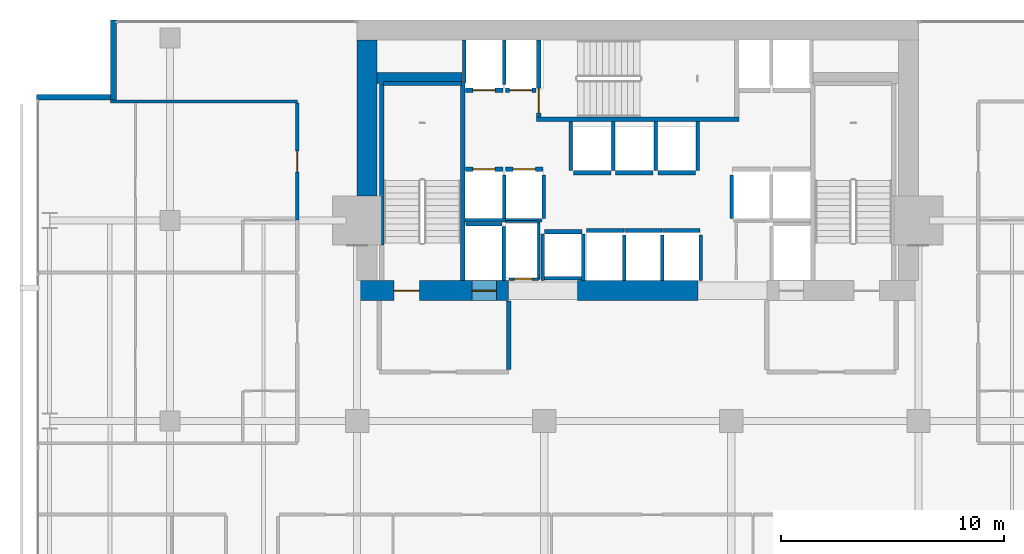
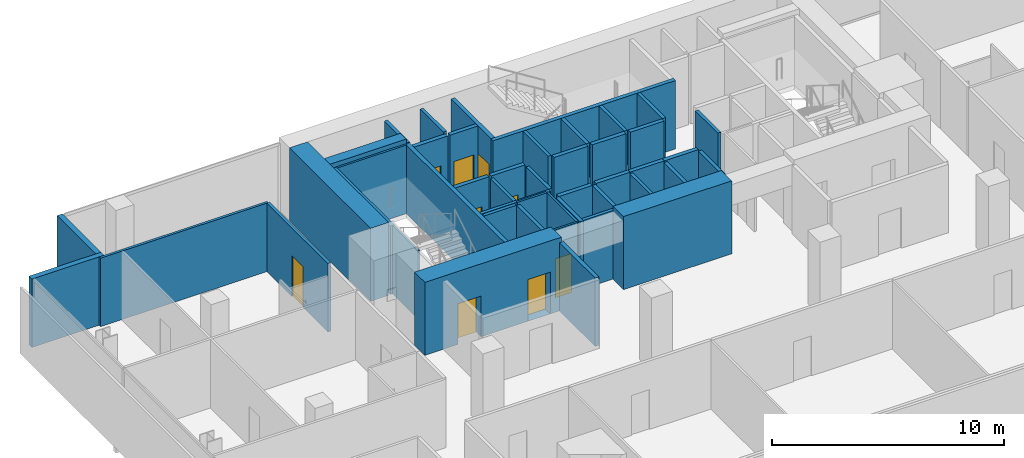
# One storey, part 36 of 40: 47 walls, 9 doors, 9 openings.
"""IFC4 building model written with IfcOpenShell, lengths in metres."""

from ifc_helpers import new_model, si_unit, direction, frame, frame_2d, origin, place, context, subcontext, project, spatial, rectangle, extrude, material, layer, layer_set, type_object, element, fill, save


model = new_model("IFC4")

# Units and contexts
model_context = context("Model", 3, precision=1e-05, world=origin(), true_north=direction((0.0, 1.0)))
body_context = subcontext(model_context, "Body", "Model", "MODEL_VIEW")
ifc_project = project(units=[si_unit("LENGTHUNIT", "METRE"), si_unit("AREAUNIT", "SQUARE_METRE"), si_unit("VOLUMEUNIT", "CUBIC_METRE"), si_unit("PLANEANGLEUNIT", "RADIAN"), si_unit("MASSUNIT", "GRAM", prefix="KILO")], contexts=[model_context])

# Site, building, storey
site_placement = place(None, origin())
site = spatial("IfcSite", under=ifc_project, at=site_placement, CompositionType="ELEMENT")
building_placement = place(site_placement, origin())
building = spatial("IfcBuilding", under=site, at=building_placement, Name="Maruvema Waterfront Hotel and Observation Tower", CompositionType="ELEMENT")
storey_placement = place(building_placement, frame((0.0, 0.0, 34.64990234375)))
storey = spatial("IfcBuildingStorey", under=building, at=storey_placement, Name="L07", CompositionType="ELEMENT", Elevation=34.64990234375)

# Wall, opening, door
ifc_material_1 = material(Name="Twin-stud acoustic gypsum drywall", Category="gypsum")
ifc_layer_1 = layer(ifc_material_1, 0.14990234375, Name="Acoustic Corridor and Suite Demising Wall 150 mm")
ifc_layer_set_1 = layer_set([ifc_layer_1], Name="Twin-stud acoustic gypsum drywall")
wall_type_1 = type_object("IfcWallType", Name="Acoustic Corridor and Suite Demising Wall 150 mm", PredefinedType="PARTITIONING", material=ifc_layer_set_1)
wall_1_placement = place(storey_placement, frame((22.52001953125, 45.018798828125, 0.0), z_axis=(0.0, 0.0, 1.0), x_axis=(0.0, 1.0, 0.0)))
wall_1 = element("IfcWall", 1, at=wall_1_placement, inside=storey, type_object=wall_type_1, Name="L07 Room L07-NW2 Corridor Wall 130", PredefinedType="PARTITIONING", context=body_context, shape_type="SweptSolid", body=[
    extrude(rectangle(XDim=5.2587890625, YDim=0.14990234375, at=frame_2d((2.62939453125, 0.0))), origin(), (0.0, 0.0, 1.0), 3.610107421875),
])
opening_1_placement = place(wall_1_placement, frame((2.154296875, 0.0, 0.0)))
opening_1 = element("IfcOpeningElement", 2, at=opening_1_placement, cuts=wall_1, Name="Opening DR-095", PredefinedType="OPENING", context=body_context, shape_type="SweptSolid", body=[
    extrude(rectangle(XDim=0.949951171875, YDim=2.14990234375, at=frame_2d((0.47509765625, 1.074951171875))), frame((0.0, 0.0849609375, 0.0), z_axis=(0.0, -1.0, 0.0), x_axis=(1.0, 0.0, 0.0)), (0.0, 0.0, 1.0), 0.169921875),
])
ifc_material_2 = material(Name="Acoustic solid-core hardwood timber leaf", Category="wood")
door_type_1 = type_object("IfcDoorType", Name="Guestroom Entrance Fire Door 950x2150 mm", OperationType="NOTDEFINED", PredefinedType="DOOR", material=ifc_material_2)
door_1_placement = place(opening_1_placement, origin())
door_1 = element("IfcDoor", 3, at=door_1_placement, inside=storey, type_object=door_type_1, Name="L07 Room L07-NW2 Entrance Door", OperationType="SINGLE_SWING_RIGHT", OverallHeight=2.14990234375, OverallWidth=0.949951171875, PredefinedType="DOOR", context=body_context, shape_type="SweptSolid", body=[
    extrude(rectangle(XDim=0.949951171875, YDim=2.14990234375, at=frame_2d((0.47509765625, 1.074951171875))), frame((0.0, 0.02490234375, 0.0), z_axis=(0.0, -1.0, 0.0), x_axis=(1.0, 0.0, 0.0)), (0.0, 0.0, 1.0), 0.050048828125),
])
fill(opening_1, door_1)

# Walls
ifc_material_3 = material(Name="Precast concrete C45/55", Category="concrete")
ifc_layer_2 = layer(ifc_material_3, 0.199951171875, Name="Core Shaft and Stairwell Enclosure Wall 200 mm")
ifc_layer_set_2 = layer_set([ifc_layer_2], Name="Precast concrete C45/55")
wall_type_2 = type_object("IfcWallType", Name="Core Shaft and Stairwell Enclosure Wall 200 mm", PredefinedType="SOLIDWALL", material=ifc_layer_set_2)
wall_2_placement = place(storey_placement, frame((29.949951171875, 42.300048828125, 0.0), z_axis=(0.0, 0.0, 1.0), x_axis=(0.0, 1.0, 0.0)))
element("IfcWall", 4, at=wall_2_placement, inside=storey, type_object=wall_type_2, Name="L07 Stairwell ST-01 East Shaft Wall", PredefinedType="SOLIDWALL", context=body_context, shape_type="SweptSolid", body=[
    extrude(rectangle(XDim=8.849853515625, YDim=0.199951171875, at=frame_2d((4.4248046875, 0.0))), origin(), (0.0, 0.0, 1.0), 3.610107421875),
])
wall_3_placement = place(storey_placement, frame((26.300048828125, 46.1201171875, 0.0), z_axis=(0.0, 0.0, 1.0), x_axis=(0.0, 1.0, 0.0)))
element("IfcWall", 5, at=wall_3_placement, inside=storey, type_object=wall_type_2, Name="L07 Stairwell ST-01 Shaft Lining Wall", PredefinedType="SOLIDWALL", context=body_context, shape_type="SweptSolid", body=[
    extrude(rectangle(XDim=5.0, YDim=0.199951171875, at=frame_2d((2.5, 0.0))), origin(), (0.0, 0.0, 1.0), 3.610107421875),
])
wall_4_placement = place(storey_placement, frame((26.3798828125, 51.14990234375, 0.0), z_axis=(0.0, 0.0, 1.0), x_axis=(1.0, 0.0, 0.0)))
element("IfcWall", 6, at=wall_4_placement, inside=storey, type_object=wall_type_2, Name="L07 Stairwell ST-01 Shaft Lining Wall", PredefinedType="SOLIDWALL", context=body_context, shape_type="SweptSolid", body=[
    extrude(rectangle(XDim=3.5, YDim=0.199951171875, at=frame_2d((1.75, 0.0))), origin(), (0.0, 0.0, 1.0), 3.610107421875),
])
wall_5_placement = place(storey_placement, frame((33.25, 49.550048828125, 0.0), z_axis=(0.0, 0.0, 1.0), x_axis=(1.0, 0.0, 0.0)))
element("IfcWall", 7, at=wall_5_placement, inside=storey, type_object=wall_type_2, Name="L07 Stairwell ST-02 Shaft Wall", PredefinedType="SOLIDWALL", context=body_context, shape_type="SweptSolid", body=[
    extrude(rectangle(XDim=9.10009765625, YDim=0.199951171875, at=frame_2d((4.550048828125, 0.0))), origin(), (0.0, 0.0, 1.0), 3.610107421875),
])

# Wall, opening, door
wall_6_placement = place(storey_placement, frame((33.35009765625, 49.64990234375, 0.0), z_axis=(0.0, 0.0, 1.0), x_axis=(0.0, 1.0, 0.0)))
wall_6 = element("IfcWall", 8, at=wall_6_placement, inside=storey, type_object=wall_type_2, Name="L07 Stairwell ST-02 Shaft Wall", PredefinedType="SOLIDWALL", context=body_context, shape_type="SweptSolid", body=[
    extrude(rectangle(XDim=3.4501953125, YDim=0.199951171875, at=frame_2d((1.72509765625, 0.0))), origin(), (0.0, 0.0, 1.0), 3.610107421875),
])
opening_2_placement = place(wall_6_placement, frame((0.179931640625, 0.0, 0.0)))
opening_2 = element("IfcOpeningElement", 9, at=opening_2_placement, cuts=wall_6, Name="Opening SD-02", PredefinedType="OPENING", context=body_context, shape_type="SweptSolid", body=[
    extrude(rectangle(XDim=1.10009765625, YDim=2.14990234375, at=frame_2d((0.550048828125, 1.074951171875))), frame((0.0, 0.10986328125, 0.0), z_axis=(0.0, -1.0, 0.0), x_axis=(1.0, 0.0, 0.0)), (0.0, 0.0, 1.0), 0.219970703125),
])
ifc_material_4 = material(Name="Fire-rated galvanised steel leaf", Category="steel")
door_type_2 = type_object("IfcDoorType", Name="Central Exit Stair Fire Door 1100x2150 mm", OperationType="NOTDEFINED", PredefinedType="DOOR", material=ifc_material_4)
door_2_placement = place(opening_2_placement, frame((1.10009765625, 0.0, 0.0), z_axis=(0.0, 0.0, 1.0), x_axis=(-1.0, 0.0, 0.0)))
door_2 = element("IfcDoor", 10, at=door_2_placement, inside=storey, type_object=door_type_2, Name="L07 Exit Stair ST-02 Fire Door", OperationType="SINGLE_SWING_LEFT", OverallHeight=2.14990234375, OverallWidth=1.10009765625, PredefinedType="DOOR", context=body_context, shape_type="SweptSolid", body=[
    extrude(rectangle(XDim=1.10009765625, YDim=2.14990234375, at=frame_2d((0.550048828125, 1.074951171875))), frame((0.0, 0.02490234375, 0.0), z_axis=(0.0, -1.0, 0.0), x_axis=(1.0, 0.0, 0.0)), (0.0, 0.0, 1.0), 0.050048828125),
])
fill(opening_2, door_2)

wall_7_placement = place(storey_placement, frame((30.06005859375, 47.300048828125, 0.0), z_axis=(0.0, 0.0, 1.0), x_axis=(1.0, 0.0, 0.0)))
wall_7 = element("IfcWall", 11, at=wall_7_placement, inside=storey, type_object=wall_type_2, Name="L07 Lift LF-01 Hoistway Front Wall", PredefinedType="SOLIDWALL", context=body_context, shape_type="SweptSolid", body=[
    extrude(rectangle(XDim=1.679931640625, YDim=0.199951171875, at=frame_2d((0.83984375, 0.0))), origin(), (0.0, 0.0, 1.0), 3.610107421875),
])
opening_3_placement = place(wall_7_placement, frame((0.340087890625, 0.0, 0.0)))
opening_3 = element("IfcOpeningElement", 12, at=opening_3_placement, cuts=wall_7, Name="Opening LD-01", PredefinedType="OPENING", context=body_context, shape_type="SweptSolid", body=[
    extrude(rectangle(XDim=1.0, YDim=2.14990234375, at=frame_2d((0.5, 1.074951171875))), frame((0.0, 0.10986328125, 0.0), z_axis=(0.0, -1.0, 0.0), x_axis=(1.0, 0.0, 0.0)), (0.0, 0.0, 1.0), 0.219970703125),
])
ifc_material_5 = material(Name="Brushed stainless steel Grade 316", Category="steel")
door_type_3 = type_object("IfcDoorType", Name="Passenger Lift Sliding Landing Door 1000x2150 mm", OperationType="SLIDING_TO_LEFT", PredefinedType="DOOR", material=ifc_material_5)
door_3_placement = place(opening_3_placement, origin())
door_3 = element("IfcDoor", 13, at=door_3_placement, inside=storey, type_object=door_type_3, Name="L07 Lift LF-01 Sliding Landing Door", OperationType="SLIDING_TO_LEFT", OverallHeight=2.14990234375, OverallWidth=1.0, PredefinedType="DOOR", context=body_context, shape_type="SweptSolid", body=[
    extrude(rectangle(XDim=1.0, YDim=2.14990234375, at=frame_2d((0.5, 1.074951171875))), frame((0.0, 0.02490234375, 0.0), z_axis=(0.0, -1.0, 0.0), x_axis=(1.0, 0.0, 0.0)), (0.0, 0.0, 1.0), 0.050048828125),
])
fill(opening_3, door_3)

wall_8_placement = place(storey_placement, frame((31.860107421875, 47.300048828125, 0.0), z_axis=(0.0, 0.0, 1.0), x_axis=(1.0, 0.0, 0.0)))
wall_8 = element("IfcWall", 14, at=wall_8_placement, inside=storey, type_object=wall_type_2, Name="L07 Lift LF-02 Hoistway Front Wall", PredefinedType="SOLIDWALL", context=body_context, shape_type="SweptSolid", body=[
    extrude(rectangle(XDim=1.679931640625, YDim=0.199951171875, at=frame_2d((0.83984375, 0.0))), origin(), (0.0, 0.0, 1.0), 3.610107421875),
])
opening_4_placement = place(wall_8_placement, frame((0.340087890625, 0.0, 0.0)))
opening_4 = element("IfcOpeningElement", 15, at=opening_4_placement, cuts=wall_8, Name="Opening LD-01", PredefinedType="OPENING", context=body_context, shape_type="SweptSolid", body=[
    extrude(rectangle(XDim=1.0, YDim=2.14990234375, at=frame_2d((0.5, 1.074951171875))), frame((0.0, 0.10986328125, 0.0), z_axis=(0.0, -1.0, 0.0), x_axis=(1.0, 0.0, 0.0)), (0.0, 0.0, 1.0), 0.219970703125),
])
door_4_placement = place(opening_4_placement, origin())
door_4 = element("IfcDoor", 16, at=door_4_placement, inside=storey, type_object=door_type_3, Name="L07 Lift LF-02 Sliding Landing Door", OperationType="SLIDING_TO_LEFT", OverallHeight=2.14990234375, OverallWidth=1.0, PredefinedType="DOOR", context=body_context, shape_type="SweptSolid", body=[
    extrude(rectangle(XDim=1.0, YDim=2.14990234375, at=frame_2d((0.5, 1.074951171875))), frame((0.0, 0.02490234375, 0.0), z_axis=(0.0, -1.0, 0.0), x_axis=(1.0, 0.0, 0.0)), (0.0, 0.0, 1.0), 0.050048828125),
])
fill(opening_4, door_4)

wall_9_placement = place(storey_placement, frame((30.06005859375, 50.85009765625, 0.0), z_axis=(0.0, 0.0, 1.0), x_axis=(1.0, 0.0, 0.0)))
wall_9 = element("IfcWall", 17, at=wall_9_placement, inside=storey, type_object=wall_type_2, Name="L07 Lift LF-03 Hoistway Front Wall", PredefinedType="SOLIDWALL", context=body_context, shape_type="SweptSolid", body=[
    extrude(rectangle(XDim=1.679931640625, YDim=0.199951171875, at=frame_2d((0.83984375, 0.0))), origin(), (0.0, 0.0, 1.0), 3.610107421875),
])
opening_5_placement = place(wall_9_placement, frame((0.340087890625, 0.0, 0.0)))
opening_5 = element("IfcOpeningElement", 18, at=opening_5_placement, cuts=wall_9, Name="Opening LD-01", PredefinedType="OPENING", context=body_context, shape_type="SweptSolid", body=[
    extrude(rectangle(XDim=1.0, YDim=2.14990234375, at=frame_2d((0.5, 1.074951171875))), frame((0.0, 0.10986328125, 0.0), z_axis=(0.0, -1.0, 0.0), x_axis=(1.0, 0.0, 0.0)), (0.0, 0.0, 1.0), 0.219970703125),
])
door_5_placement = place(opening_5_placement, frame((1.0, 0.0, 0.0), z_axis=(0.0, 0.0, 1.0), x_axis=(-1.0, 0.0, 0.0)))
door_5 = element("IfcDoor", 19, at=door_5_placement, inside=storey, type_object=door_type_3, Name="L07 Lift LF-03 Sliding Landing Door", OperationType="SLIDING_TO_LEFT", OverallHeight=2.14990234375, OverallWidth=1.0, PredefinedType="DOOR", context=body_context, shape_type="SweptSolid", body=[
    extrude(rectangle(XDim=1.0, YDim=2.14990234375, at=frame_2d((0.5, 1.074951171875))), frame((0.0, 0.02490234375, 0.0), z_axis=(0.0, -1.0, 0.0), x_axis=(1.0, 0.0, 0.0)), (0.0, 0.0, 1.0), 0.050048828125),
])
fill(opening_5, door_5)

wall_10_placement = place(storey_placement, frame((31.860107421875, 50.85009765625, 0.0), z_axis=(0.0, 0.0, 1.0), x_axis=(1.0, 0.0, 0.0)))
wall_10 = element("IfcWall", 20, at=wall_10_placement, inside=storey, type_object=wall_type_2, Name="L07 Lift LF-04 Hoistway Front Wall", PredefinedType="SOLIDWALL", context=body_context, shape_type="SweptSolid", body=[
    extrude(rectangle(XDim=1.3798828125, YDim=0.199951171875, at=frame_2d((0.68994140625, 0.0))), origin(), (0.0, 0.0, 1.0), 3.610107421875),
])
opening_6_placement = place(wall_10_placement, frame((0.18994140625, 0.0, 0.0)))
opening_6 = element("IfcOpeningElement", 21, at=opening_6_placement, cuts=wall_10, Name="Opening LD-01", PredefinedType="OPENING", context=body_context, shape_type="SweptSolid", body=[
    extrude(rectangle(XDim=1.0, YDim=2.14990234375, at=frame_2d((0.5, 1.074951171875))), frame((0.0, 0.10986328125, 0.0), z_axis=(0.0, -1.0, 0.0), x_axis=(1.0, 0.0, 0.0)), (0.0, 0.0, 1.0), 0.219970703125),
])
door_6_placement = place(opening_6_placement, frame((1.0, 0.0, 0.0), z_axis=(0.0, 0.0, 1.0), x_axis=(-1.0, 0.0, 0.0)))
door_6 = element("IfcDoor", 22, at=door_6_placement, inside=storey, type_object=door_type_3, Name="L07 Lift LF-04 Sliding Landing Door", OperationType="SLIDING_TO_LEFT", OverallHeight=2.14990234375, OverallWidth=1.0, PredefinedType="DOOR", context=body_context, shape_type="SweptSolid", body=[
    extrude(rectangle(XDim=1.0, YDim=2.14990234375, at=frame_2d((0.5, 1.074951171875))), frame((0.0, 0.02490234375, 0.0), z_axis=(0.0, -1.0, 0.0), x_axis=(1.0, 0.0, 0.0)), (0.0, 0.0, 1.0), 0.050048828125),
])
fill(opening_6, door_6)

# Walls
for number, where, z_axis, x_axis, name in (
    (23, (35.510009765625, 44.550048828125, 0.0), (0.0, 0.0, 1.0), (1.0, 0.0, 0.0), "L07 Lift LF-09 Hoistway Front Wall"),
    (24, (37.2099609375, 44.550048828125, 0.0), (0.0, 0.0, 1.0), (1.0, 0.0, 0.0), "L07 Lift LF-10 Hoistway Front Wall"),
):
    element("IfcWall", number, at=place(storey_placement, frame(where, z_axis=z_axis, x_axis=x_axis)), inside=storey, type_object=wall_type_2, Name=name, PredefinedType="SOLIDWALL", context=body_context, shape_type="SweptSolid", body=[
        extrude(rectangle(XDim=1.679931640625, YDim=0.199951171875, at=frame_2d((0.83984375, 0.0))), origin(), (0.0, 0.0, 1.0), 3.610107421875),
    ])
for number, where, z_axis, x_axis, name in (
    (25, (38.909912109375, 44.550048828125, 0.0), (0.0, 0.0, 1.0), (1.0, 0.0, 0.0), "L07 Lift LF-11 Hoistway Front Wall"),
    (26, (34.909912109375, 47.14990234375, 0.0), (0.0, 0.0, 1.0), (1.0, 0.0, 0.0), "L07 Lift LF-12 Hoistway Front Wall"),
):
    element("IfcWall", number, at=place(storey_placement, frame(where, z_axis=z_axis, x_axis=x_axis)), inside=storey, type_object=wall_type_2, Name=name, PredefinedType="SOLIDWALL", context=body_context, shape_type="SweptSolid", body=[
        extrude(rectangle(XDim=1.68017578125, YDim=0.199951171875, at=frame_2d((0.840087890625, 0.0))), origin(), (0.0, 0.0, 1.0), 3.610107421875),
    ])
for number, where, z_axis, x_axis, name in (
    (27, (36.81005859375, 47.14990234375, 0.0), (0.0, 0.0, 1.0), (1.0, 0.0, 0.0), "L07 Lift LF-13 Hoistway Front Wall"),
    (28, (38.7099609375, 47.14990234375, 0.0), (0.0, 0.0, 1.0), (1.0, 0.0, 0.0), "L07 Lift LF-14 Hoistway Front Wall"),
    (29, (33.610107421875, 44.5, 0.0), (0.0, 0.0, 1.0), (1.0, 0.0, 0.0), "L07 Lift LF-15 Hoistway Front Wall"),
):
    element("IfcWall", number, at=place(storey_placement, frame(where, z_axis=z_axis, x_axis=x_axis)), inside=storey, type_object=wall_type_2, Name=name, PredefinedType="SOLIDWALL", context=body_context, shape_type="SweptSolid", body=[
        extrude(rectangle(XDim=1.679931640625, YDim=0.199951171875, at=frame_2d((0.83984375, 0.0))), origin(), (0.0, 0.0, 1.0), 3.610107421875),
    ])
ifc_material_6 = material(Name="Concrete C70/85", Category="concrete")
ifc_layer_3 = layer(ifc_material_6, 0.5, Name="Core Shear Wall 500 mm")
ifc_layer_set_3 = layer_set([ifc_layer_3], Name="Concrete C70/85")
wall_type_3 = type_object("IfcWallType", Name="Core Shear Wall 500 mm", PredefinedType="SHEAR", material=ifc_layer_set_3)
wall_11_placement = place(storey_placement, frame((26.10009765625, 51.39990234375, 0.0), z_axis=(0.0, 0.0, 1.0), x_axis=(1.0, 0.0, 0.0)))
element("IfcWall", 30, at=wall_11_placement, inside=storey, type_object=wall_type_3, Name="L07 Internal Core Shear Wall NW 500 mm", PredefinedType="SHEAR", context=body_context, shape_type="SweptSolid", body=[
    extrude(rectangle(XDim=3.7998046875, YDim=0.5, at=frame_2d((1.89990234375, 0.0))), origin(), (0.0, 0.0, 1.0), 3.85009765625),
])

# Wall, openings, doors
ifc_material_7 = material(Name="Concrete C80/95", Category="concrete")
ifc_layer_4 = layer(ifc_material_7, 0.89990234375, Name="Core Shear Wall 900 mm")
ifc_layer_set_4 = layer_set([ifc_layer_4], Name="Concrete C80/95")
wall_type_4 = type_object("IfcWallType", Name="Core Shear Wall 900 mm", PredefinedType="SHEAR", material=ifc_layer_set_4)
wall_12_placement = place(storey_placement, frame((25.199951171875, 41.85009765625, 0.0), z_axis=(0.0, 0.0, 1.0), x_axis=(1.0, 0.0, 0.0)))
wall_12 = element("IfcWall", 31, at=wall_12_placement, inside=storey, type_object=wall_type_4, Name="L07 South-West Core Shear Wall", PredefinedType="SHEAR", context=body_context, shape_type="SweptSolid", body=[
    extrude(rectangle(XDim=6.800048828125, YDim=0.89990234375, at=frame_2d((3.39990234375, 0.0))), origin(), (0.0, 0.0, 1.0), 3.85009765625),
])
opening_7_placement = place(wall_12_placement, frame((1.64990234375, 0.0, 0.0)))
opening_7 = element("IfcOpeningElement", 32, at=opening_7_placement, cuts=wall_12, Name="Opening SD-01", PredefinedType="OPENING", context=body_context, shape_type="SweptSolid", body=[
    extrude(rectangle(XDim=1.14990234375, YDim=2.14990234375, at=frame_2d((0.574951171875, 1.074951171875))), frame((0.0, 0.4599609375, 0.0), z_axis=(0.0, -1.0, 0.0), x_axis=(1.0, 0.0, 0.0)), (0.0, 0.0, 1.0), 0.919921875),
])
opening_8_placement = place(wall_12_placement, frame((5.14990234375, 0.0, 0.0)))
opening_8 = element("IfcOpeningElement", 33, at=opening_8_placement, cuts=wall_12, Name="Opening LD-03", PredefinedType="OPENING", context=body_context, shape_type="SweptSolid", body=[
    extrude(rectangle(XDim=1.10009765625, YDim=2.199951171875, at=frame_2d((0.550048828125, 1.10009765625))), frame((0.0, 0.4599609375, 0.0), z_axis=(0.0, -1.0, 0.0), x_axis=(1.0, 0.0, 0.0)), (0.0, 0.0, 1.0), 0.919921875),
])
ifc_material_8 = material(Name="Fire-rated galvanised steel leaf", Category="steel")
door_type_4 = type_object("IfcDoorType", Name="Exit Stair Fire Door 1150x2150 mm", OperationType="NOTDEFINED", PredefinedType="DOOR", material=ifc_material_8)
door_7_placement = place(opening_7_placement, origin())
door_7 = element("IfcDoor", 34, at=door_7_placement, inside=storey, type_object=door_type_4, Name="L07 Exit Stair ST-01 Fire Door", OperationType="SINGLE_SWING_LEFT", OverallHeight=2.14990234375, OverallWidth=1.14990234375, PredefinedType="DOOR", context=body_context, shape_type="SweptSolid", body=[
    extrude(rectangle(XDim=1.14990234375, YDim=2.14990234375, at=frame_2d((0.574951171875, 1.074951171875))), frame((0.0, 0.02490234375, 0.0), z_axis=(0.0, -1.0, 0.0), x_axis=(1.0, 0.0, 0.0)), (0.0, 0.0, 1.0), 0.050048828125),
])
fill(opening_7, door_7)
ifc_material_9 = material(Name="Brushed stainless steel Grade 316", Category="steel")
door_type_5 = type_object("IfcDoorType", Name="Firefighting Lift Sliding Landing Door 1100x2200 mm", OperationType="SLIDING_TO_LEFT", PredefinedType="DOOR", material=ifc_material_9)
door_8_placement = place(opening_8_placement, frame((1.10009765625, 0.0, 0.0), z_axis=(0.0, 0.0, 1.0), x_axis=(-1.0, 0.0, 0.0)))
door_8 = element("IfcDoor", 35, at=door_8_placement, inside=storey, type_object=door_type_5, Name="L07 Firefighting Lift FL-01 Landing Door", OperationType="SLIDING_TO_LEFT", OverallHeight=2.199951171875, OverallWidth=1.10009765625, PredefinedType="DOOR", context=body_context, shape_type="SweptSolid", body=[
    extrude(rectangle(XDim=1.10009765625, YDim=2.199951171875, at=frame_2d((0.550048828125, 1.10009765625))), frame((0.0, 0.02490234375, 0.0), z_axis=(0.0, -1.0, 0.0), x_axis=(1.0, 0.0, 0.0)), (0.0, 0.0, 1.0), 0.050048828125),
])
fill(opening_8, door_8)

# Walls
wall_13_placement = place(storey_placement, frame((35.10009765625, 41.85009765625, 0.0), z_axis=(0.0, 0.0, 1.0), x_axis=(1.0, 0.0, 0.0)))
element("IfcWall", 36, at=wall_13_placement, inside=storey, type_object=wall_type_4, Name="L07 South-Central Core Shear Wall", PredefinedType="SHEAR", context=body_context, shape_type="SweptSolid", body=[
    extrude(rectangle(XDim=5.39990234375, YDim=0.89990234375, at=frame_2d((2.699951171875, 0.0))), origin(), (0.0, 0.0, 1.0), 3.85009765625),
])
wall_14_placement = place(storey_placement, frame((25.64990234375, 46.10009765625, 0.0), z_axis=(0.0, 0.0, 1.0), x_axis=(0.0, 1.0, 0.0)))
element("IfcWall", 37, at=wall_14_placement, inside=storey, type_object=wall_type_4, Name="L07 West-North Core Shear Wall", PredefinedType="SHEAR", context=body_context, shape_type="SweptSolid", body=[
    extrude(rectangle(XDim=7.0, YDim=0.89990234375, at=frame_2d((3.5, 0.0))), origin(), (0.0, 0.0, 1.0), 3.85009765625),
])

# Wall, opening, door
ifc_material_10 = material(Name="Moisture-resistant cement-board drywall", Category="gypsum")
ifc_layer_5 = layer(ifc_material_10, 0.10009765625, Name="En-Suite Moisture-Resistant Partition 100 mm")
ifc_layer_set_5 = layer_set([ifc_layer_5], Name="Moisture-resistant cement-board drywall")
wall_type_5 = type_object("IfcWallType", Name="En-Suite Moisture-Resistant Partition 100 mm", PredefinedType="PARTITIONING", material=ifc_layer_set_5)
wall_15_placement = place(storey_placement, frame((32.02001953125, 42.360107421875, 0.0), z_axis=(0.0, 0.0, 1.0), x_axis=(1.0, 0.0, 0.0)))
wall_15 = element("IfcWall", 38, at=wall_15_placement, inside=storey, type_object=wall_type_5, Name="L07 Telecom Riser South Wall 007", PredefinedType="PARTITIONING", context=body_context, shape_type="SweptSolid", body=[
    extrude(rectangle(XDim=1.320068359375, YDim=0.10009765625, at=frame_2d((0.66015625, 0.0))), origin(), (0.0, 0.0, 1.0), 3.610107421875),
])
opening_9_placement = place(wall_15_placement, frame((0.239990234375, 0.0, 0.0)))
opening_9 = element("IfcOpeningElement", 39, at=opening_9_placement, cuts=wall_15, Name="Opening DR-080", PredefinedType="OPENING", context=body_context, shape_type="SweptSolid", body=[
    extrude(rectangle(XDim=0.800048828125, YDim=2.050048828125, at=frame_2d((0.39990234375, 1.02490234375))), frame((0.0, 0.06005859375, 0.0), z_axis=(0.0, -1.0, 0.0), x_axis=(1.0, 0.0, 0.0)), (0.0, 0.0, 1.0), 0.1201171875),
])
ifc_material_11 = material(Name="Powder-coated steel access leaf", Category="steel")
door_type_6 = type_object("IfcDoorType", Name="Riser and Service Cupboard Door 800x2050 mm", OperationType="NOTDEFINED", PredefinedType="DOOR", material=ifc_material_11)
door_9_placement = place(opening_9_placement, frame((0.800048828125, 0.0, 0.0), z_axis=(0.0, 0.0, 1.0), x_axis=(-1.0, 0.0, 0.0)))
door_9 = element("IfcDoor", 40, at=door_9_placement, inside=storey, type_object=door_type_6, Name="L07 Telecom Riser Door", OperationType="SINGLE_SWING_LEFT", OverallHeight=2.050048828125, OverallWidth=0.800048828125, PredefinedType="DOOR", context=body_context, shape_type="SweptSolid", body=[
    extrude(rectangle(XDim=0.800048828125, YDim=2.050048828125, at=frame_2d((0.39990234375, 1.02490234375))), frame((0.0, 0.02490234375, 0.0), z_axis=(0.0, -1.0, 0.0), x_axis=(1.0, 0.0, 0.0)), (0.0, 0.0, 1.0), 0.050048828125),
])
fill(opening_9, door_9)

# Walls
wall_16_placement = place(storey_placement, frame((31.840087890625, 44.9599609375, 0.0), z_axis=(0.0, 0.0, 1.0), x_axis=(1.0, 0.0, 0.0)))
element("IfcWall", 41, at=wall_16_placement, inside=storey, type_object=wall_type_5, Name="L07 Telecom Riser North Wall 008", PredefinedType="PARTITIONING", context=body_context, shape_type="SweptSolid", body=[
    extrude(rectangle(XDim=1.47998046875, YDim=0.10009765625, at=frame_2d((0.739990234375, 0.0))), origin(), (0.0, 0.0, 1.0), 3.610107421875),
])
wall_17_placement = place(storey_placement, frame((33.360107421875, 42.360107421875, 0.0), z_axis=(0.0, 0.0, 1.0), x_axis=(0.0, 1.0, 0.0)))
element("IfcWall", 42, at=wall_17_placement, inside=storey, type_object=wall_type_5, Name="L07 Telecom Riser East Wall 009", PredefinedType="PARTITIONING", context=body_context, shape_type="SweptSolid", body=[
    extrude(rectangle(XDim=2.579833984375, YDim=0.10009765625, at=frame_2d((1.2900390625, 0.0))), origin(), (0.0, 0.0, 1.0), 3.610107421875),
])
ifc_material_12 = material(Name="Precast concrete C45/55 with honed Pernambuco granite facing", Category="masonry")
ifc_layer_6 = layer(ifc_material_12, 0.260009765625, Name="Exterior Granite Clad Spandrel and Pier Wall 260 mm")
ifc_layer_set_6 = layer_set([ifc_layer_6], Name="Precast concrete C45/55 with honed Pernambuco granite facing")
wall_type_6 = type_object("IfcWallType", Name="Exterior Granite Clad Spandrel and Pier Wall 260 mm", PredefinedType="SOLIDWALL", material=ifc_layer_set_6)
wall_18_placement = place(storey_placement, frame((14.27001953125, 50.39990234375, 0.0), z_axis=(0.0, 0.0, 1.0), x_axis=(0.0, 1.0, 0.0)))
element("IfcWall", 43, at=wall_18_placement, inside=storey, type_object=wall_type_6, Name="L07 Corner Notch Granite Pier Wall NW1", PredefinedType="SOLIDWALL", context=body_context, shape_type="SweptSolid", body=[
    extrude(rectangle(XDim=3.60009765625, YDim=0.260009765625, at=frame_2d((1.800048828125, 0.0))), origin(), (0.0, 0.0, 1.0), 3.610107421875),
])
wall_19_placement = place(storey_placement, frame((10.800048828125, 50.530029296875, 0.0), z_axis=(0.0, 0.0, 1.0), x_axis=(1.0, 0.0, 0.0)))
element("IfcWall", 44, at=wall_19_placement, inside=storey, type_object=wall_type_6, Name="L07 Corner Notch Granite Pier Wall NW2", PredefinedType="SOLIDWALL", context=body_context, shape_type="SweptSolid", body=[
    extrude(rectangle(XDim=3.599853515625, YDim=0.260009765625, at=frame_2d((1.7998046875, 0.0))), origin(), (0.0, 0.0, 1.0), 3.610107421875),
])
ifc_material_13 = material(Name="Autoclaved cellular concrete blockwork", Category="masonry")
ifc_layer_7 = layer(ifc_material_13, 0.199951171875, Name="Fire Compartment Masonry Wall 200 mm")
ifc_layer_set_7 = layer_set([ifc_layer_7], Name="Autoclaved cellular concrete blockwork")
wall_type_7 = type_object("IfcWallType", Name="Fire Compartment Masonry Wall 200 mm", PredefinedType="PARTITIONING", material=ifc_layer_set_7)
wall_20_placement = place(storey_placement, frame((32.0, 38.31005859375, 0.0), z_axis=(0.0, 0.0, 1.0), x_axis=(0.0, 1.0, 0.0)))
element("IfcWall", 45, at=wall_20_placement, inside=storey, type_object=wall_type_7, Name="L07 FFL West East Wall 003", PredefinedType="PARTITIONING", context=body_context, shape_type="SweptSolid", body=[
    extrude(rectangle(XDim=3.06982421875, YDim=0.199951171875, at=frame_2d((1.534912109375, 0.0))), origin(), (0.0, 0.0, 1.0), 3.610107421875),
])
ifc_material_14 = material(Name="Acoustic gypsum plasterboard drywall", Category="gypsum")
ifc_layer_8 = layer(ifc_material_14, 0.125, Name="Guestroom Acoustic Demising Wall 125 mm")
ifc_layer_set_8 = layer_set([ifc_layer_8], Name="Acoustic gypsum plasterboard drywall")
wall_type_8 = type_object("IfcWallType", Name="Guestroom Acoustic Demising Wall 125 mm", PredefinedType="PARTITIONING", material=ifc_layer_set_8)
wall_21_placement = place(storey_placement, frame((14.139892578125, 50.33740234375, 0.0), z_axis=(0.0, 0.0, 1.0), x_axis=(1.0, 0.0, 0.0)))
element("IfcWall", 46, at=wall_21_placement, inside=storey, type_object=wall_type_8, Name="L07 NW Top End 115", PredefinedType="PARTITIONING", context=body_context, shape_type="SweptSolid", body=[
    extrude(rectangle(XDim=8.380126953125, YDim=0.125, at=frame_2d((4.18994140625, 0.0))), origin(), (0.0, 0.0, 1.0), 3.610107421875),
])
ifc_material_15 = material(Name="Precast concrete C45/55", Category="concrete")
ifc_layer_9 = layer(ifc_material_15, 0.159912109375, Name="Lift Hoistway Divider Wall 160 mm")
ifc_layer_set_9 = layer_set([ifc_layer_9], Name="Precast concrete C45/55")
wall_type_9 = type_object("IfcWallType", Name="Lift Hoistway Divider Wall 160 mm", PredefinedType="SOLIDWALL", material=ifc_layer_set_9)
wall_22_placement = place(storey_placement, frame((30.10009765625, 44.830078125, 0.0), z_axis=(0.0, 0.0, 1.0), x_axis=(1.0, 0.0, 0.0)))
element("IfcWall", 47, at=wall_22_placement, inside=storey, type_object=wall_type_9, Name="L07 Lift FL-01 Rear Hoistway Wall", PredefinedType="SOLIDWALL", context=body_context, shape_type="SweptSolid", body=[
    extrude(rectangle(XDim=1.599853515625, YDim=0.159912109375, at=frame_2d((0.7998046875, 0.0))), origin(), (0.0, 0.0, 1.0), 3.610107421875),
])
wall_23_placement = place(storey_placement, frame((31.780029296875, 42.300048828125, 0.0), z_axis=(0.0, 0.0, 1.0), x_axis=(0.0, 1.0, 0.0)))
element("IfcWall", 48, at=wall_23_placement, inside=storey, type_object=wall_type_9, Name="L07 Lift FL-01 Inner Hoistway Wall", PredefinedType="SOLIDWALL", context=body_context, shape_type="SweptSolid", body=[
    extrude(rectangle(XDim=2.43994140625, YDim=0.159912109375, at=frame_2d((1.219970703125, 0.0))), origin(), (0.0, 0.0, 1.0), 3.610107421875),
])
for number, where, z_axis, x_axis, name in (
    (49, (31.800048828125, 45.10009765625, 0.0), (0.0, 0.0, 1.0), (0.0, 1.0, 0.0), "L07 Hoistway Divider Wall"),
    (50, (33.580078125, 45.10009765625, 0.0), (0.0, 0.0, 1.0), (0.0, 1.0, 0.0), "L07 Hoistway Divider Wall"),
):
    element("IfcWall", number, at=place(storey_placement, frame(where, z_axis=z_axis, x_axis=x_axis)), inside=storey, type_object=wall_type_9, Name=name, PredefinedType="SOLIDWALL", context=body_context, shape_type="SweptSolid", body=[
        extrude(rectangle(XDim=1.949951171875, YDim=0.159912109375, at=frame_2d((0.97509765625, 0.0))), origin(), (0.0, 0.0, 1.0), 3.610107421875),
    ])
wall_24_placement = place(storey_placement, frame((30.050048828125, 45.010009765625, 0.0), z_axis=(0.0, 0.0, 1.0), x_axis=(1.0, 0.0, 0.0)))
element("IfcWall", 51, at=wall_24_placement, inside=storey, type_object=wall_type_9, Name="L07 Hoistway Divider Wall", PredefinedType="SOLIDWALL", context=body_context, shape_type="SweptSolid", body=[
    extrude(rectangle(XDim=3.449951171875, YDim=0.159912109375, at=frame_2d((1.72509765625, 0.0))), origin(), (0.0, 0.0, 1.0), 3.610107421875),
])
wall_25_placement = place(storey_placement, frame((30.010009765625, 51.179931640625, 0.0), z_axis=(0.0, 0.0, 1.0), x_axis=(0.0, 1.0, 0.0)))
element("IfcWall", 52, at=wall_25_placement, inside=storey, type_object=wall_type_9, Name="L07 Hoistway Divider Wall", PredefinedType="SOLIDWALL", context=body_context, shape_type="SweptSolid", body=[
    extrude(rectangle(XDim=1.920166015625, YDim=0.159912109375, at=frame_2d((0.9599609375, 0.0))), origin(), (0.0, 0.0, 1.0), 3.610107421875),
])
wall_26_placement = place(storey_placement, frame((31.800048828125, 51.10009765625, 0.0), z_axis=(0.0, 0.0, 1.0), x_axis=(0.0, 1.0, 0.0)))
element("IfcWall", 53, at=wall_26_placement, inside=storey, type_object=wall_type_9, Name="L07 Hoistway Divider Wall", PredefinedType="SOLIDWALL", context=body_context, shape_type="SweptSolid", body=[
    extrude(rectangle(XDim=2.0, YDim=0.159912109375, at=frame_2d((1.0, 0.0))), origin(), (0.0, 0.0, 1.0), 3.610107421875),
])
wall_27_placement = place(storey_placement, frame((42.02001953125, 45.10009765625, 0.0), z_axis=(0.0, 0.0, 1.0), x_axis=(0.0, 1.0, 0.0)))
element("IfcWall", 54, at=wall_27_placement, inside=storey, type_object=wall_type_9, Name="L07 Hoistway Divider Wall", PredefinedType="SOLIDWALL", context=body_context, shape_type="SweptSolid", body=[
    extrude(rectangle(XDim=1.949951171875, YDim=0.159912109375, at=frame_2d((0.97509765625, 0.0))), origin(), (0.0, 0.0, 1.0), 3.610107421875),
])
for number, where, z_axis, x_axis, name in (
    (55, (37.199951171875, 42.300048828125, 0.0), (0.0, 0.0, 1.0), (0.0, 1.0, 0.0), "L07 Hoistway Divider Wall"),
    (56, (38.89990234375, 42.300048828125, 0.0), (0.0, 0.0, 1.0), (0.0, 1.0, 0.0), "L07 Hoistway Divider Wall"),
    (57, (40.6201171875, 42.300048828125, 0.0), (0.0, 0.0, 1.0), (0.0, 1.0, 0.0), "L07 Hoistway Divider Wall"),
):
    element("IfcWall", number, at=place(storey_placement, frame(where, z_axis=z_axis, x_axis=x_axis)), inside=storey, type_object=wall_type_9, Name=name, PredefinedType="SOLIDWALL", context=body_context, shape_type="SweptSolid", body=[
        extrude(rectangle(XDim=2.050048828125, YDim=0.159912109375, at=frame_2d((1.02490234375, 0.0))), origin(), (0.0, 0.0, 1.0), 3.610107421875),
    ])
for number, where, z_axis, x_axis, name in (
    (58, (34.800048828125, 47.25, 0.0), (0.0, 0.0, 1.0), (0.0, 1.0, 0.0), "L07 Hoistway Divider Wall"),
    (59, (36.699951171875, 47.25, 0.0), (0.0, 0.0, 1.0), (0.0, 1.0, 0.0), "L07 Hoistway Divider Wall"),
    (60, (38.60009765625, 47.25, 0.0), (0.0, 0.0, 1.0), (0.0, 1.0, 0.0), "L07 Hoistway Divider Wall"),
    (61, (40.5, 47.25, 0.0), (0.0, 0.0, 1.0), (0.0, 1.0, 0.0), "L07 Hoistway Divider Wall"),
):
    element("IfcWall", number, at=place(storey_placement, frame(where, z_axis=z_axis, x_axis=x_axis)), inside=storey, type_object=wall_type_9, Name=name, PredefinedType="SOLIDWALL", context=body_context, shape_type="SweptSolid", body=[
        extrude(rectangle(XDim=2.18994140625, YDim=0.159912109375, at=frame_2d((1.094970703125, 0.0))), origin(), (0.0, 0.0, 1.0), 3.610107421875),
    ])
for number, where, z_axis, x_axis, name in (
    (62, (33.5400390625, 42.300048828125, 0.0), (0.0, 0.0, 1.0), (0.0, 1.0, 0.0), "L07 Hoistway Divider Wall"),
    (63, (35.360107421875, 42.300048828125, 0.0), (0.0, 0.0, 1.0), (0.0, 1.0, 0.0), "L07 Hoistway Divider Wall"),
):
    element("IfcWall", number, at=place(storey_placement, frame(where, z_axis=z_axis, x_axis=x_axis)), inside=storey, type_object=wall_type_9, Name=name, PredefinedType="SOLIDWALL", context=body_context, shape_type="SweptSolid", body=[
        extrude(rectangle(XDim=2.099853515625, YDim=0.159912109375, at=frame_2d((1.0498046875, 0.0))), origin(), (0.0, 0.0, 1.0), 3.610107421875),
    ])
wall_28_placement = place(storey_placement, frame((33.6201171875, 42.39990234375, 0.0), z_axis=(0.0, 0.0, 1.0), x_axis=(1.0, 0.0, 0.0)))
element("IfcWall", 64, at=wall_28_placement, inside=storey, type_object=wall_type_9, Name="L07 Hoistway Divider Wall", PredefinedType="SOLIDWALL", context=body_context, shape_type="SweptSolid", body=[
    extrude(rectangle(XDim=1.659912109375, YDim=0.159912109375, at=frame_2d((0.830078125, 0.0))), origin(), (0.0, 0.0, 1.0), 3.610107421875),
])
ifc_material_16 = material(Name="Precast concrete C45/55", Category="concrete")
ifc_layer_10 = layer(ifc_material_16, 0.10009765625, Name="Stairwell Stringer Cheek Wall 100 mm")
ifc_layer_set_10 = layer_set([ifc_layer_10], Name="Precast concrete C45/55")
wall_type_10 = type_object("IfcWallType", Name="Stairwell Stringer Cheek Wall 100 mm", PredefinedType="SOLIDWALL", material=ifc_layer_set_10)
wall_29_placement = place(storey_placement, frame((26.35205078125, 43.89990234375, 0.0), z_axis=(0.0, 0.0, 1.0), x_axis=(0.0, 1.0, 0.0)))
element("IfcWall", 65, at=wall_29_placement, inside=storey, type_object=wall_type_10, Name="L07 Stairwell ST-01 Mega-Column Cheek Wall", PredefinedType="SOLIDWALL", context=body_context, shape_type="SweptSolid", body=[
    extrude(rectangle(XDim=2.2001953125, YDim=0.10009765625, at=frame_2d((1.10009765625, 0.0))), origin(), (0.0, 0.0, 1.0), 3.610107421875),
])

save(model, "model.ifc")
